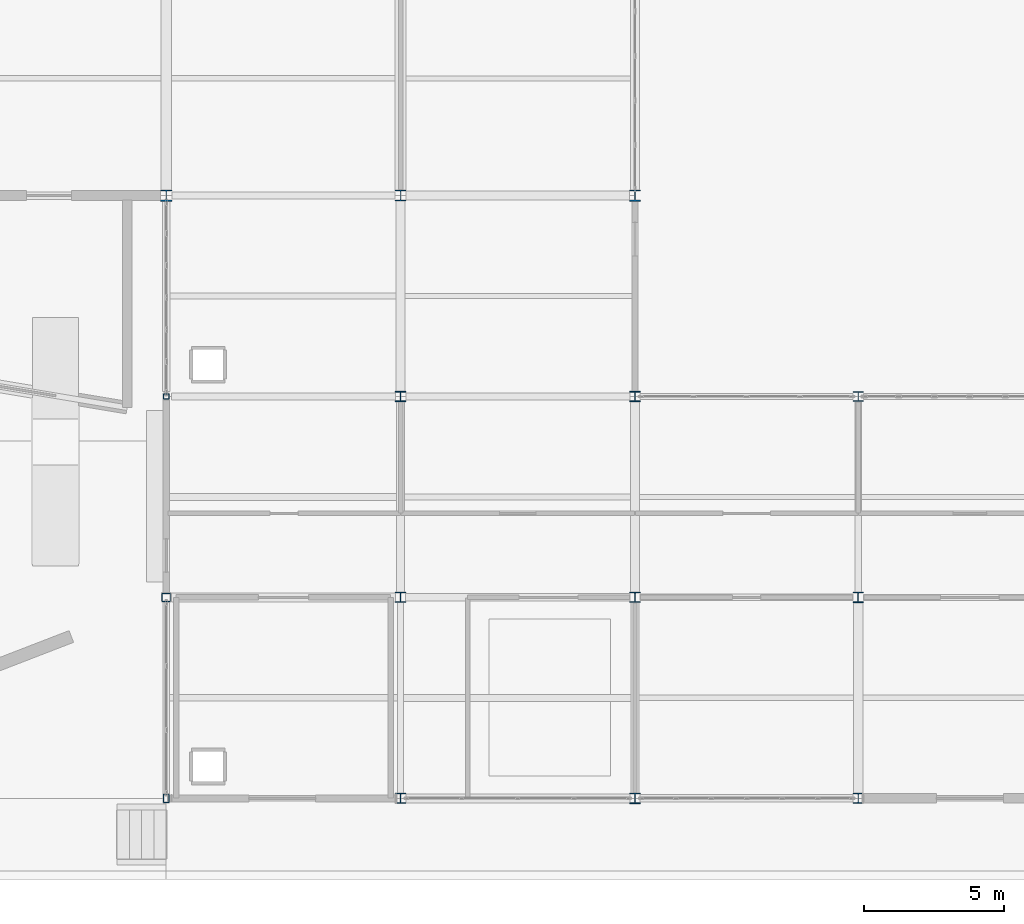
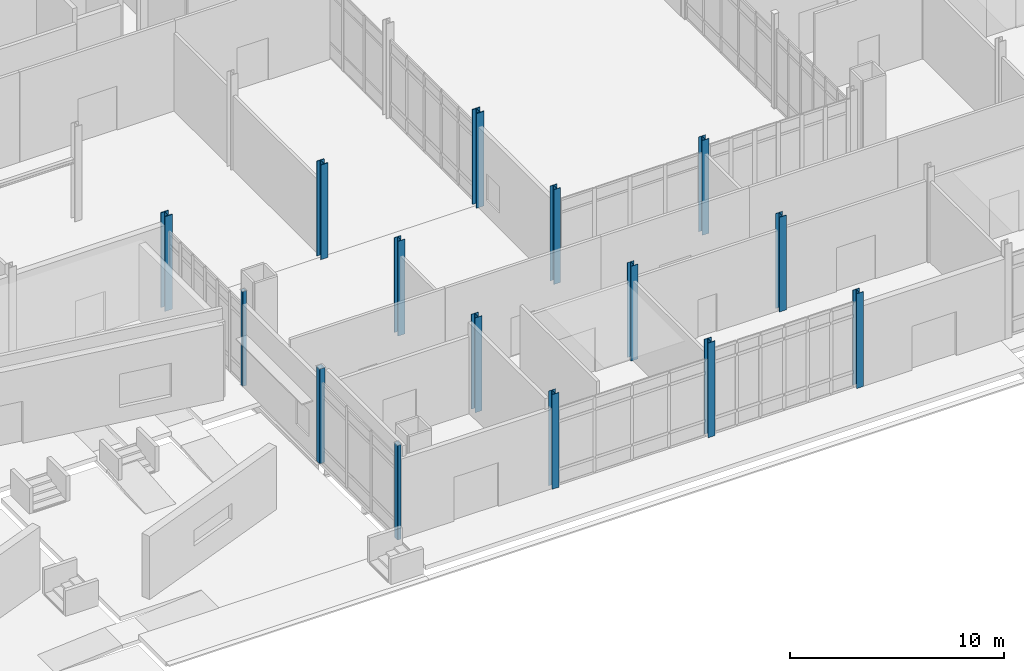
# One storey, part 4 of 229: 15 columns.
"""IFC4 building model written with IfcOpenShell, lengths in metres."""

from ifc_helpers import new_model, si_unit, direction, frame, origin, origin_2d, place, context, subcontext, project, spatial, hollow_rectangle, i_section, extrude, material, material_profile, profile_set, type_object, element, save


model = new_model("IFC4")

# Units and contexts
model_context = context("Model", 3, precision=1e-05, world=origin(), true_north=direction((0.0, 1.0)))
body_context = subcontext(model_context, "Body", "Model", "MODEL_VIEW")
ifc_project = project(units=[si_unit("LENGTHUNIT", "METRE"), si_unit("AREAUNIT", "SQUARE_METRE"), si_unit("VOLUMEUNIT", "CUBIC_METRE"), si_unit("PLANEANGLEUNIT", "RADIAN"), si_unit("MASSUNIT", "GRAM", prefix="KILO")], contexts=[model_context])

# Site, building, storey
site_placement = place(None, origin())
site = spatial("IfcSite", under=ifc_project, at=site_placement, CompositionType="ELEMENT")
building_placement = place(site_placement, origin())
building = spatial("IfcBuilding", under=site, at=building_placement, Name="Calvrana Isthmian Art Gallery", CompositionType="ELEMENT")
storey_placement = place(building_placement, origin())
storey = spatial("IfcBuildingStorey", under=building, at=storey_placement, Name="L00", CompositionType="ELEMENT", Elevation=0.0)

# Columns
ifc_material_1 = material(Name="Steel ASTM A500 Gr C", Category="steel")
ifc_material_profile_1 = material_profile(ifc_material_1, hollow_rectangle(XDim=0.203125, YDim=0.203125, WallThickness=0.0126953125, OuterFilletRadius=0.02490234375, at=origin_2d()), Name="HSS203X203X12.7")
ifc_profile_set_1 = profile_set([ifc_material_profile_1], Name="Steel ASTM A500 Gr C")
column_type_1 = type_object("IfcColumnType", Name="COL-STL-HSS203X203X12.7", PredefinedType="COLUMN", material=ifc_profile_set_1)
column_1_placement = place(storey_placement, frame((63.60009765625, 14.39990234375, 0.0), z_axis=(0.0, 0.0, 1.0), x_axis=(1.0, 0.0, 0.0)))
element("IfcColumn", 1, at=column_1_placement, inside=storey, type_object=column_type_1, Name="Column 09/C L00", PredefinedType="COLUMN", context=body_context, shape_type="SweptSolid", body=[
    extrude(hollow_rectangle(XDim=0.203125, YDim=0.203125, WallThickness=0.0126953125, OuterFilletRadius=0.02490234375, at=origin_2d()), origin(), (0.0, 0.0, 1.0), 5.39990234375),
])
ifc_material_profile_2 = material_profile(ifc_material_1, hollow_rectangle(XDim=0.203125, YDim=0.3046875, WallThickness=0.0126953125, OuterFilletRadius=0.02490234375, at=origin_2d()), Name="HSS305X203X12.7")
ifc_profile_set_2 = profile_set([ifc_material_profile_2], Name="Steel ASTM A500 Gr C")
column_type_2 = type_object("IfcColumnType", Name="COL-STL-HSS305X203X12.7", PredefinedType="COLUMN", material=ifc_profile_set_2)
column_2_placement = place(storey_placement, frame((63.60009765625, 0.0, 0.0), z_axis=(0.0, 0.0, 1.0), x_axis=(1.0, 0.0, 0.0)))
element("IfcColumn", 2, at=column_2_placement, inside=storey, type_object=column_type_2, Name="Column 09/A L00", PredefinedType="COLUMN", context=body_context, shape_type="SweptSolid", body=[
    extrude(hollow_rectangle(XDim=0.203125, YDim=0.3046875, WallThickness=0.0126953125, OuterFilletRadius=0.02490234375, at=origin_2d()), origin(), (0.0, 0.0, 1.0), 5.39990234375),
])
ifc_material_profile_3 = material_profile(ifc_material_1, hollow_rectangle(XDim=0.3046875, YDim=0.3046875, WallThickness=0.015869140625, OuterFilletRadius=0.031982421875, at=origin_2d()), Name="HSS305X305X15.9")
ifc_profile_set_3 = profile_set([ifc_material_profile_3], Name="Steel ASTM A500 Gr C")
column_type_3 = type_object("IfcColumnType", Name="COL-STL-HSS305X305X15.9", PredefinedType="COLUMN", material=ifc_profile_set_3)
column_3_placement = place(storey_placement, frame((63.60009765625, 7.199951171875, 0.0), z_axis=(0.0, 0.0, 1.0), x_axis=(1.0, 0.0, 0.0)))
element("IfcColumn", 3, at=column_3_placement, inside=storey, type_object=column_type_3, Name="Column 09/B L00", PredefinedType="COLUMN", context=body_context, shape_type="SweptSolid", body=[
    extrude(hollow_rectangle(XDim=0.3046875, YDim=0.3046875, WallThickness=0.015869140625, OuterFilletRadius=0.031982421875, at=origin_2d()), origin(), (0.0, 0.0, 1.0), 5.39990234375),
])
ifc_material_2 = material(Name="Steel ASTM A992 Gr 50", Category="steel")
ifc_material_profile_4 = material_profile(ifc_material_2, i_section(OverallWidth=0.37109375, OverallDepth=0.363037109375, WebThickness=0.01318359375, FlangeThickness=0.021728515625, FilletRadius=0.02490234375, at=origin_2d()), Name="W14X109")
ifc_profile_set_4 = profile_set([ifc_material_profile_4], Name="Steel ASTM A992 Gr 50")
column_type_4 = type_object("IfcColumnType", Name="COL-STL-W14X109", PredefinedType="COLUMN", material=ifc_profile_set_4)
for number, where, z_axis, x_axis, name in (
    (4, (72.0, 7.199951171875, 0.0), (0.0, 0.0, 1.0), (1.0, 0.0, 0.0), "Column 10/B L00"),
    (5, (80.39990234375, 14.39990234375, 0.0), (0.0, 0.0, 1.0), (1.0, 0.0, 0.0), "Column 11/C L00"),
):
    element("IfcColumn", number, at=place(storey_placement, frame(where, z_axis=z_axis, x_axis=x_axis)), inside=storey, type_object=column_type_4, Name=name, PredefinedType="COLUMN", context=body_context, shape_type="SweptSolid", body=[
        extrude(i_section(OverallWidth=0.37109375, OverallDepth=0.363037109375, WebThickness=0.01318359375, FlangeThickness=0.021728515625, FilletRadius=0.02490234375, at=origin_2d()), origin(), (0.0, 0.0, 1.0), 5.39990234375),
    ])
ifc_material_profile_5 = material_profile(ifc_material_2, i_section(OverallWidth=0.373046875, OverallDepth=0.367919921875, WebThickness=0.014892578125, FlangeThickness=0.02392578125, FilletRadius=0.02490234375, at=origin_2d()), Name="W14X120")
ifc_profile_set_5 = profile_set([ifc_material_profile_5], Name="Steel ASTM A992 Gr 50")
column_type_5 = type_object("IfcColumnType", Name="COL-STL-W14X120", PredefinedType="COLUMN", material=ifc_profile_set_5)
for number, where, z_axis, x_axis, name in (
    (6, (72.0, 14.39990234375, 0.0), (0.0, 0.0, 1.0), (1.0, 0.0, 0.0), "Column 10/C L00"),
    (7, (88.39990234375, 0.0, 0.0), (0.0, 0.0, 1.0), (1.0, 0.0, 0.0), "Column 12/A L00"),
):
    element("IfcColumn", number, at=place(storey_placement, frame(where, z_axis=z_axis, x_axis=x_axis)), inside=storey, type_object=column_type_5, Name=name, PredefinedType="COLUMN", context=body_context, shape_type="SweptSolid", body=[
        extrude(i_section(OverallWidth=0.373046875, OverallDepth=0.367919921875, WebThickness=0.014892578125, FlangeThickness=0.02392578125, FilletRadius=0.02490234375, at=origin_2d()), origin(), (0.0, 0.0, 1.0), 5.39990234375),
    ])
ifc_material_profile_6 = material_profile(ifc_material_2, i_section(OverallWidth=0.373046875, OverallDepth=0.373046875, WebThickness=0.016357421875, FlangeThickness=0.026123046875, FilletRadius=0.02490234375, at=origin_2d()), Name="W14X132")
ifc_profile_set_6 = profile_set([ifc_material_profile_6], Name="Steel ASTM A992 Gr 50")
column_type_6 = type_object("IfcColumnType", Name="COL-STL-W14X132", PredefinedType="COLUMN", material=ifc_profile_set_6)
for number, where, z_axis, x_axis, name in (
    (8, (80.39990234375, 0.0, 0.0), (0.0, 0.0, 1.0), (1.0, 0.0, 0.0), "Column 11/A L00"),
    (9, (88.39990234375, 7.199951171875, 0.0), (0.0, 0.0, 1.0), (1.0, 0.0, 0.0), "Column 12/B L00"),
):
    element("IfcColumn", number, at=place(storey_placement, frame(where, z_axis=z_axis, x_axis=x_axis)), inside=storey, type_object=column_type_6, Name=name, PredefinedType="COLUMN", context=body_context, shape_type="SweptSolid", body=[
        extrude(i_section(OverallWidth=0.373046875, OverallDepth=0.373046875, WebThickness=0.016357421875, FlangeThickness=0.026123046875, FilletRadius=0.02490234375, at=origin_2d()), origin(), (0.0, 0.0, 1.0), 5.39990234375),
    ])
ifc_material_profile_7 = material_profile(ifc_material_2, i_section(OverallWidth=0.39892578125, OverallDepth=0.39404296875, WebThickness=0.022705078125, FlangeThickness=0.03662109375, FilletRadius=0.02490234375, at=origin_2d()), Name="W14X193")
ifc_profile_set_7 = profile_set([ifc_material_profile_7], Name="Steel ASTM A992 Gr 50")
column_type_7 = type_object("IfcColumnType", Name="COL-STL-W14X193", PredefinedType="COLUMN", material=ifc_profile_set_7)
column_4_placement = place(storey_placement, frame((72.0, 21.60009765625, 0.0), z_axis=(0.0, 0.0, 1.0), x_axis=(1.0, 0.0, 0.0)))
element("IfcColumn", 10, at=column_4_placement, inside=storey, type_object=column_type_7, Name="Column 10/D L00", PredefinedType="COLUMN", context=body_context, shape_type="SweptSolid", body=[
    extrude(i_section(OverallWidth=0.39892578125, OverallDepth=0.39404296875, WebThickness=0.022705078125, FlangeThickness=0.03662109375, FilletRadius=0.02490234375, at=origin_2d()), origin(), (0.0, 0.0, 1.0), 5.39990234375),
])
ifc_material_profile_8 = material_profile(ifc_material_2, i_section(OverallWidth=0.404052734375, OverallDepth=0.406005859375, WebThickness=0.027099609375, FlangeThickness=0.043701171875, FilletRadius=0.02490234375, at=origin_2d()), Name="W14X233")
ifc_profile_set_8 = profile_set([ifc_material_profile_8], Name="Steel ASTM A992 Gr 50")
column_type_8 = type_object("IfcColumnType", Name="COL-STL-W14X233", PredefinedType="COLUMN", material=ifc_profile_set_8)
column_5_placement = place(storey_placement, frame((63.60009765625, 21.60009765625, 0.0), z_axis=(0.0, 0.0, 1.0), x_axis=(1.0, 0.0, 0.0)))
element("IfcColumn", 11, at=column_5_placement, inside=storey, type_object=column_type_8, Name="Column 09/D L00", PredefinedType="COLUMN", context=body_context, shape_type="SweptSolid", body=[
    extrude(i_section(OverallWidth=0.404052734375, OverallDepth=0.406005859375, WebThickness=0.027099609375, FlangeThickness=0.043701171875, FilletRadius=0.02490234375, at=origin_2d()), origin(), (0.0, 0.0, 1.0), 5.39990234375),
])
ifc_material_profile_9 = material_profile(ifc_material_2, i_section(OverallWidth=0.406005859375, OverallDepth=0.4169921875, WebThickness=0.02978515625, FlangeThickness=0.048095703125, FilletRadius=0.02490234375, at=origin_2d()), Name="W14X257")
ifc_profile_set_9 = profile_set([ifc_material_profile_9], Name="Steel ASTM A992 Gr 50")
column_type_9 = type_object("IfcColumnType", Name="COL-STL-W14X257", PredefinedType="COLUMN", material=ifc_profile_set_9)
column_6_placement = place(storey_placement, frame((80.39990234375, 21.60009765625, 0.0), z_axis=(0.0, 0.0, 1.0), x_axis=(1.0, 0.0, 0.0)))
element("IfcColumn", 12, at=column_6_placement, inside=storey, type_object=column_type_9, Name="Column 11/D L00", PredefinedType="COLUMN", context=body_context, shape_type="SweptSolid", body=[
    extrude(i_section(OverallWidth=0.406005859375, OverallDepth=0.4169921875, WebThickness=0.02978515625, FlangeThickness=0.048095703125, FilletRadius=0.02490234375, at=origin_2d()), origin(), (0.0, 0.0, 1.0), 5.39990234375),
])
ifc_material_profile_10 = material_profile(ifc_material_2, i_section(OverallWidth=0.367919921875, OverallDepth=0.35595703125, WebThickness=0.01123046875, FlangeThickness=0.01806640625, FilletRadius=0.02490234375, at=origin_2d()), Name="W14X90")
ifc_profile_set_10 = profile_set([ifc_material_profile_10], Name="Steel ASTM A992 Gr 50")
column_type_10 = type_object("IfcColumnType", Name="COL-STL-W14X90", PredefinedType="COLUMN", material=ifc_profile_set_10)
for number, where, z_axis, x_axis, name in (
    (13, (72.0, 0.0, 0.0), (0.0, 0.0, 1.0), (1.0, 0.0, 0.0), "Column 10/A L00"),
    (14, (80.39990234375, 7.199951171875, 0.0), (0.0, 0.0, 1.0), (1.0, 0.0, 0.0), "Column 11/B L00"),
    (15, (88.39990234375, 14.39990234375, 0.0), (0.0, 0.0, 1.0), (1.0, 0.0, 0.0), "Column 12/C L00"),
):
    element("IfcColumn", number, at=place(storey_placement, frame(where, z_axis=z_axis, x_axis=x_axis)), inside=storey, type_object=column_type_10, Name=name, PredefinedType="COLUMN", context=body_context, shape_type="SweptSolid", body=[
        extrude(i_section(OverallWidth=0.367919921875, OverallDepth=0.35595703125, WebThickness=0.01123046875, FlangeThickness=0.01806640625, FilletRadius=0.02490234375, at=origin_2d()), origin(), (0.0, 0.0, 1.0), 5.39990234375),
    ])

save(model, "model.ifc")
